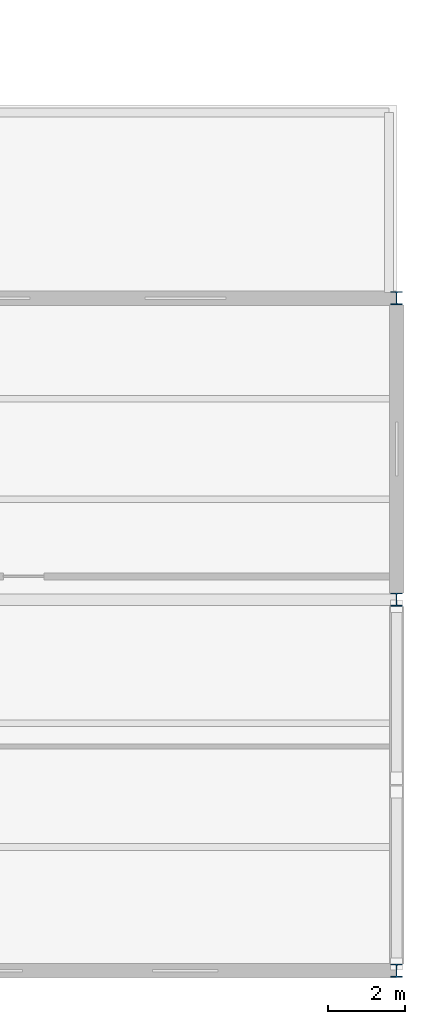
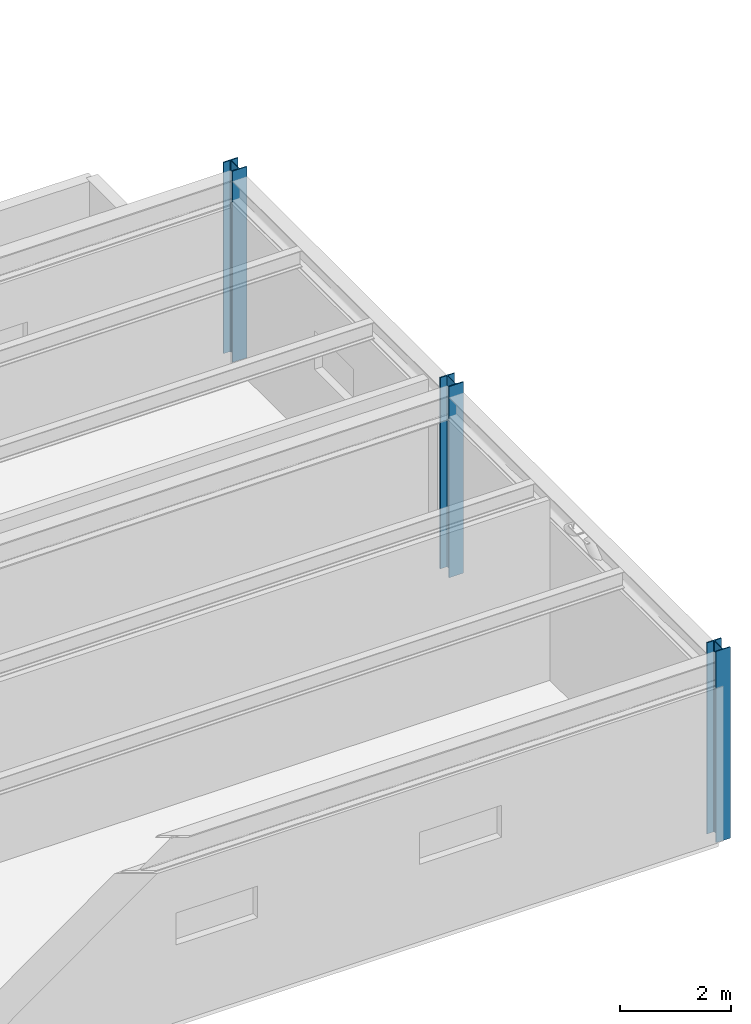
# One storey, part 13 of 88: 3 columns.
"""IFC4 building model written with IfcOpenShell, lengths in metres."""

from ifc_helpers import new_model, si_unit, direction, frame, origin, origin_2d, place, context, subcontext, project, spatial, i_section, extrude, material, material_profile, profile_set, type_object, element, save


model = new_model("IFC4")

# Units and contexts
model_context = context("Model", 3, precision=1e-05, world=origin(), true_north=direction((0.0, 1.0)))
body_context = subcontext(model_context, "Body", "Model", "MODEL_VIEW")
ifc_project = project(units=[si_unit("LENGTHUNIT", "METRE"), si_unit("AREAUNIT", "SQUARE_METRE"), si_unit("VOLUMEUNIT", "CUBIC_METRE"), si_unit("PLANEANGLEUNIT", "RADIAN"), si_unit("MASSUNIT", "GRAM", prefix="KILO")], contexts=[model_context])

# Site, building, storey
site_placement = place(None, origin())
site = spatial("IfcSite", under=ifc_project, at=site_placement, CompositionType="ELEMENT")
building_placement = place(site_placement, origin())
building = spatial("IfcBuilding", under=site, at=building_placement, Name="Nordkorset Police Headquarters", CompositionType="ELEMENT")
storey_placement = place(building_placement, frame((0.0, 0.0, 9.449951171875)))
storey = spatial("IfcBuildingStorey", under=building, at=storey_placement, Name="L02", CompositionType="ELEMENT", Elevation=9.449951171875)

# Columns
ifc_material = material(Name="Steel S355J2", Category="steel")
ifc_material_profile = material_profile(ifc_material, i_section(OverallWidth=0.300048828125, OverallDepth=0.340087890625, WebThickness=0.011962890625, FlangeThickness=0.021484375, FilletRadius=0.027099609375, at=origin_2d()), Name="HEB 340")
ifc_profile_set = profile_set([ifc_material_profile], Name="Steel S355J2")
column_type = type_object("IfcColumnType", Name="Col_HEB_340", PredefinedType="COLUMN", material=ifc_profile_set)
for number, where, z_axis, x_axis, name in (
    (1, (171.199951171875, 0.0, 0.0), (0.0, 0.0, 1.0), (1.0, 0.0, 0.0), "Structural Column V6_Y0_4 L02"),
    (2, (171.199951171875, 9.60009765625, 0.0), (0.0, 0.0, 1.0), (1.0, 0.0, 0.0), "Structural Column V6_Y1_4 L02"),
    (3, (171.199951171875, 17.39990234375, 0.0), (0.0, 0.0, 1.0), (1.0, 0.0, 0.0), "Structural Column V6_Y2_4 L02"),
):
    element("IfcColumn", number, at=place(storey_placement, frame(where, z_axis=z_axis, x_axis=x_axis)), inside=storey, type_object=column_type, Name=name, PredefinedType="COLUMN", context=body_context, shape_type="SweptSolid", body=[
        extrude(i_section(OverallWidth=0.300048828125, OverallDepth=0.340087890625, WebThickness=0.011962890625, FlangeThickness=0.021484375, FilletRadius=0.027099609375, at=origin_2d()), origin(), (0.0, 0.0, 1.0), 4.199951171875),
    ])

save(model, "model.ifc")
